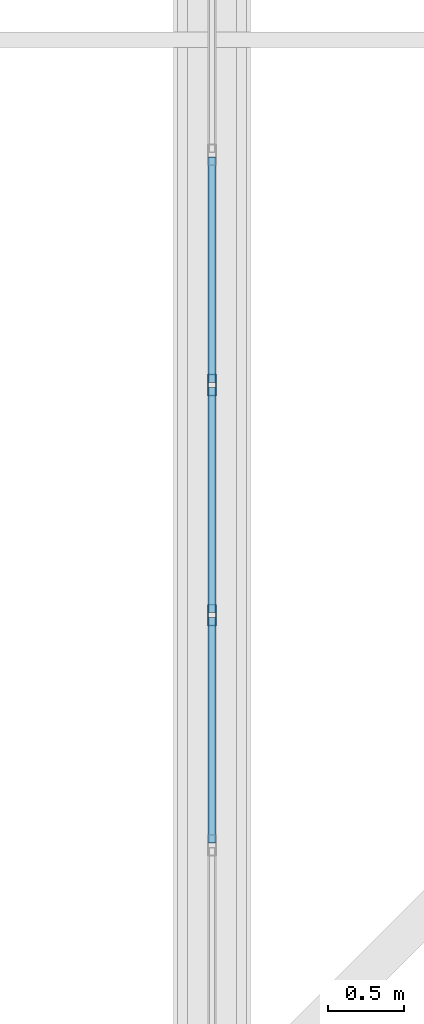
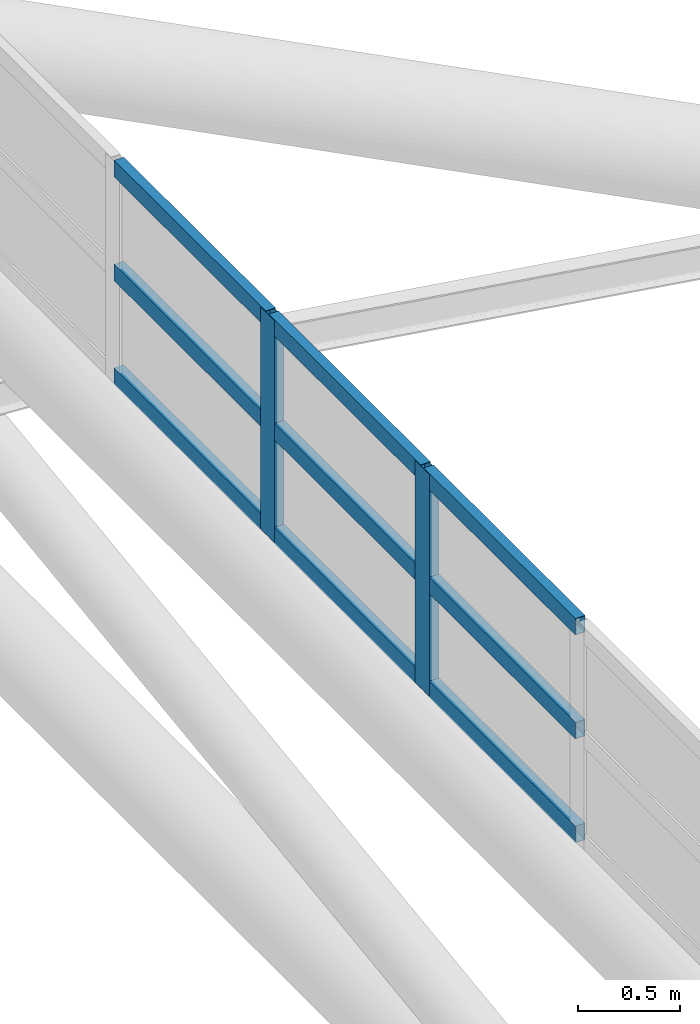
# One storey, part 162 of 397: 11 members, 1 element without a shape of its own.
"""IFC4 building model written with IfcOpenShell, lengths in metres."""

from ifc_helpers import new_model, si_unit, direction, frame, origin, origin_2d, place, context, subcontext, project, spatial, hollow_rectangle, extrude, material, material_profile, profile_set, type_object, element, aggregate, save


model = new_model("IFC4")

# Units and contexts
model_context = context("Model", 3, precision=1e-05, world=origin(), true_north=direction((0.0, 1.0)))
body_context = subcontext(model_context, "Body", "Model", "MODEL_VIEW")
ifc_project = project(units=[si_unit("LENGTHUNIT", "METRE"), si_unit("AREAUNIT", "SQUARE_METRE"), si_unit("VOLUMEUNIT", "CUBIC_METRE"), si_unit("PLANEANGLEUNIT", "RADIAN"), si_unit("MASSUNIT", "GRAM", prefix="KILO")], contexts=[model_context])

# Site, building, storey
site_placement = place(None, origin())
site = spatial("IfcSite", under=ifc_project, at=site_placement, CompositionType="ELEMENT")
building_placement = place(site_placement, origin())
building = spatial("IfcBuilding", under=site, at=building_placement, Name="Qandorah Velis Arena", CompositionType="ELEMENT")
storey_placement = place(building_placement, frame((0.0, 0.0, 27.5)))
storey = spatial("IfcBuildingStorey", under=building, at=storey_placement, Name="RF", CompositionType="ELEMENT", Elevation=27.5)

# Curtain wall, members
ifc_material_1 = material(Name="Solar-control low-E double glazing", Category="glass")
curtain_wall_type = type_object("IfcCurtainWallType", Name="ARC-CW-SYS13", PredefinedType="USERDEFINED", material=ifc_material_1)
curtain_wall_placement = place(storey_placement, origin())
curtain_wall = element("IfcCurtainWall", 1, at=curtain_wall_placement, inside=storey, type_object=curtain_wall_type, Name="Unitised curtain wall OCULUS-2-3", ObjectType="UNITISED CURTAIN WALL", PredefinedType="USERDEFINED")
ifc_material_2 = material(Name="Champagne-bronze anodized aluminium 6063-T6", Category="aluminium")
ifc_material_profile_1 = material_profile(ifc_material_2, hollow_rectangle(XDim=0.054931640625, YDim=0.139892578125, WallThickness=0.0029296875, at=origin_2d()), Name="ALU MULLION 55x140")
ifc_profile_set_1 = profile_set([ifc_material_profile_1], Name="Champagne-bronze anodized aluminium 6063-T6")
member_type_1 = type_object("IfcMemberType", Name="ARC-CWM-140", PredefinedType="MULLION", material=ifc_profile_set_1)
member_1_placement = place(storey_placement, frame((100.800048828125, 60.994384765625, 9.68408203125), z_axis=(0.0, 0.0, 1.0), x_axis=(-1.0, 0.0, 0.0)))
member_1 = element("IfcMember", 2, at=member_1_placement, type_object=member_type_1, Name="CW13 mullion 3", PredefinedType="MULLION", context=body_context, shape_type="SweptSolid", body=[
    extrude(hollow_rectangle(XDim=0.054931640625, YDim=0.139892578125, WallThickness=0.0029296875, at=origin_2d()), origin(), (0.0, 0.0, 1.0), 1.330810546875),
])
member_2_placement = place(storey_placement, frame((100.800048828125, 62.5166015625, 9.68408203125), z_axis=(0.0, 0.0, 1.0), x_axis=(-1.0, 0.0, 0.0)))
member_2 = element("IfcMember", 3, at=member_2_placement, type_object=member_type_1, Name="CW13 mullion 4", PredefinedType="MULLION", context=body_context, shape_type="SweptSolid", body=[
    extrude(hollow_rectangle(XDim=0.054931640625, YDim=0.139892578125, WallThickness=0.0029296875, at=origin_2d()), origin(), (0.0, 0.0, 1.0), 1.330810546875),
])
ifc_material_profile_2 = material_profile(ifc_material_2, hollow_rectangle(XDim=0.054931640625, YDim=0.10009765625, WallThickness=0.0029296875, at=origin_2d()), Name="ALU TRANSOM 55x100")
ifc_profile_set_2 = profile_set([ifc_material_profile_2], Name="Champagne-bronze anodized aluminium 6063-T6")
member_type_2 = type_object("IfcMemberType", Name="ARC-CWT-100", PredefinedType="USERDEFINED", material=ifc_profile_set_2)
member_3_placement = place(storey_placement, frame((100.800048828125, 59.48779296875, 9.7265625), z_axis=(0.0, 1.0, 0.0), x_axis=(-1.0, 0.0, 0.0)))
member_3 = element("IfcMember", 4, at=member_3_placement, type_object=member_type_2, Name="CW13 transom 2.1", ObjectType="TRANSOM", PredefinedType="USERDEFINED", context=body_context, shape_type="SweptSolid", body=[
    extrude(hollow_rectangle(XDim=0.054931640625, YDim=0.10009765625, WallThickness=0.0029296875, at=origin_2d()), origin(), (0.0, 0.0, 1.0), 1.4912109375),
])
member_4_placement = place(storey_placement, frame((100.800048828125, 59.48779296875, 10.349609375), z_axis=(0.0, 1.0, 0.0), x_axis=(-1.0, 0.0, 0.0)))
member_4 = element("IfcMember", 5, at=member_4_placement, type_object=member_type_2, Name="CW13 transom 2.2", ObjectType="TRANSOM", PredefinedType="USERDEFINED", context=body_context, shape_type="SweptSolid", body=[
    extrude(hollow_rectangle(XDim=0.054931640625, YDim=0.10009765625, WallThickness=0.0029296875, at=origin_2d()), origin(), (0.0, 0.0, 1.0), 1.4912109375),
])
member_5_placement = place(storey_placement, frame((100.800048828125, 59.48779296875, 10.972412109375), z_axis=(0.0, 1.0, 0.0), x_axis=(-1.0, 0.0, 0.0)))
member_5 = element("IfcMember", 6, at=member_5_placement, type_object=member_type_2, Name="CW13 transom 2.3", ObjectType="TRANSOM", PredefinedType="USERDEFINED", context=body_context, shape_type="SweptSolid", body=[
    extrude(hollow_rectangle(XDim=0.054931640625, YDim=0.10009765625, WallThickness=0.0029296875, at=origin_2d()), origin(), (0.0, 0.0, 1.0), 1.4912109375),
])
member_6_placement = place(storey_placement, frame((100.800048828125, 61.010009765625, 9.7265625), z_axis=(0.0, 1.0, 0.0), x_axis=(-1.0, 0.0, 0.0)))
member_6 = element("IfcMember", 7, at=member_6_placement, type_object=member_type_2, Name="CW13 transom 3.1", ObjectType="TRANSOM", PredefinedType="USERDEFINED", context=body_context, shape_type="SweptSolid", body=[
    extrude(hollow_rectangle(XDim=0.054931640625, YDim=0.10009765625, WallThickness=0.0029296875, at=origin_2d()), origin(), (0.0, 0.0, 1.0), 1.4912109375),
])
member_7_placement = place(storey_placement, frame((100.800048828125, 61.010009765625, 10.349609375), z_axis=(0.0, 1.0, 0.0), x_axis=(-1.0, 0.0, 0.0)))
member_7 = element("IfcMember", 8, at=member_7_placement, type_object=member_type_2, Name="CW13 transom 3.2", ObjectType="TRANSOM", PredefinedType="USERDEFINED", context=body_context, shape_type="SweptSolid", body=[
    extrude(hollow_rectangle(XDim=0.054931640625, YDim=0.10009765625, WallThickness=0.0029296875, at=origin_2d()), origin(), (0.0, 0.0, 1.0), 1.4912109375),
])
member_8_placement = place(storey_placement, frame((100.800048828125, 61.010009765625, 10.972412109375), z_axis=(0.0, 1.0, 0.0), x_axis=(-1.0, 0.0, 0.0)))
member_8 = element("IfcMember", 9, at=member_8_placement, type_object=member_type_2, Name="CW13 transom 3.3", ObjectType="TRANSOM", PredefinedType="USERDEFINED", context=body_context, shape_type="SweptSolid", body=[
    extrude(hollow_rectangle(XDim=0.054931640625, YDim=0.10009765625, WallThickness=0.0029296875, at=origin_2d()), origin(), (0.0, 0.0, 1.0), 1.4912109375),
])
member_9_placement = place(storey_placement, frame((100.800048828125, 62.5322265625, 9.7265625), z_axis=(0.0, 1.0, 0.0), x_axis=(-1.0, 0.0, 0.0)))
member_9 = element("IfcMember", 10, at=member_9_placement, type_object=member_type_2, Name="CW13 transom 4.1", ObjectType="TRANSOM", PredefinedType="USERDEFINED", context=body_context, shape_type="SweptSolid", body=[
    extrude(hollow_rectangle(XDim=0.054931640625, YDim=0.10009765625, WallThickness=0.0029296875, at=origin_2d()), origin(), (0.0, 0.0, 1.0), 1.4912109375),
])
member_10_placement = place(storey_placement, frame((100.800048828125, 62.5322265625, 10.349609375), z_axis=(0.0, 1.0, 0.0), x_axis=(-1.0, 0.0, 0.0)))
member_10 = element("IfcMember", 11, at=member_10_placement, type_object=member_type_2, Name="CW13 transom 4.2", ObjectType="TRANSOM", PredefinedType="USERDEFINED", context=body_context, shape_type="SweptSolid", body=[
    extrude(hollow_rectangle(XDim=0.054931640625, YDim=0.10009765625, WallThickness=0.0029296875, at=origin_2d()), origin(), (0.0, 0.0, 1.0), 1.4912109375),
])
member_11_placement = place(storey_placement, frame((100.800048828125, 62.5322265625, 10.972412109375), z_axis=(0.0, 1.0, 0.0), x_axis=(-1.0, 0.0, 0.0)))
member_11 = element("IfcMember", 12, at=member_11_placement, type_object=member_type_2, Name="CW13 transom 4.3", ObjectType="TRANSOM", PredefinedType="USERDEFINED", context=body_context, shape_type="SweptSolid", body=[
    extrude(hollow_rectangle(XDim=0.054931640625, YDim=0.10009765625, WallThickness=0.0029296875, at=origin_2d()), origin(), (0.0, 0.0, 1.0), 1.4912109375),
])
aggregate(curtain_wall, [member_1, member_2, member_3, member_4, member_5, member_6, member_7, member_8, member_9, member_10, member_11])

save(model, "model.ifc")
